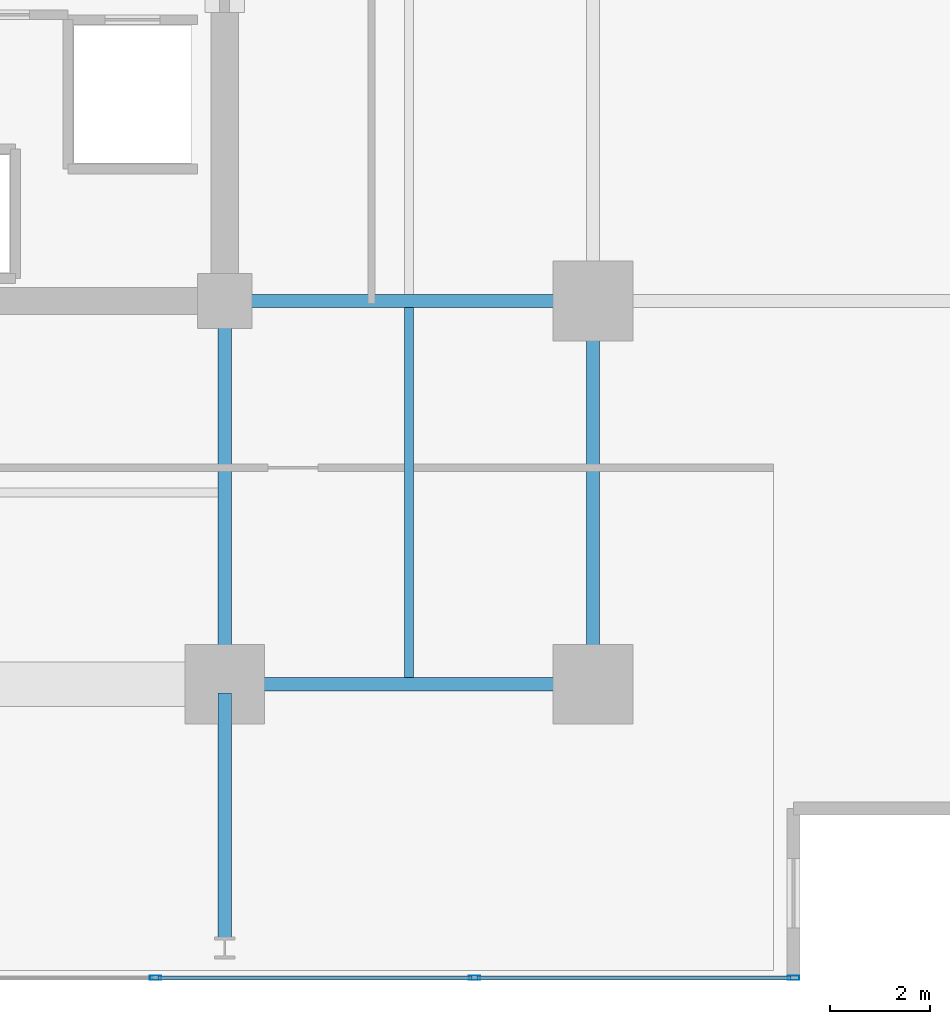
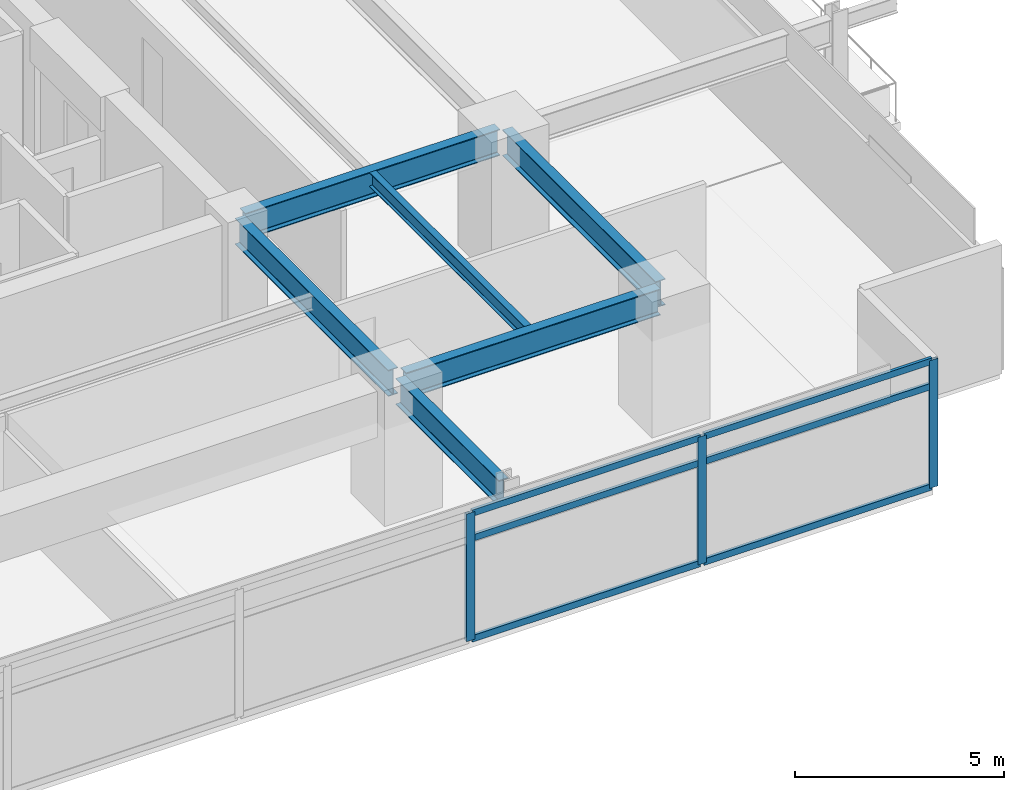
# One storey, part 8 of 20: 9 members, 6 beams, 1 element without a shape of its own.
"""IFC4 building model written with IfcOpenShell, lengths in metres."""

from ifc_helpers import new_model, si_unit, direction, frame, origin, origin_2d, place, context, subcontext, project, spatial, hollow_rectangle, i_section, extrude, material, material_profile, profile_set, type_object, element, aggregate, save


model = new_model("IFC4")

# Units and contexts
model_context = context("Model", 3, precision=1e-05, world=origin(), true_north=direction((0.0, 1.0)))
body_context = subcontext(model_context, "Body", "Model", "MODEL_VIEW")
ifc_project = project(units=[si_unit("LENGTHUNIT", "METRE"), si_unit("AREAUNIT", "SQUARE_METRE"), si_unit("VOLUMEUNIT", "CUBIC_METRE"), si_unit("PLANEANGLEUNIT", "RADIAN"), si_unit("MASSUNIT", "GRAM", prefix="KILO")], contexts=[model_context])

# Site, building, storey
site_placement = place(None, origin())
site = spatial("IfcSite", under=ifc_project, at=site_placement, CompositionType="ELEMENT")
building_placement = place(site_placement, origin())
building = spatial("IfcBuilding", under=site, at=building_placement, Name="Kovane Verandah Tower", CompositionType="ELEMENT")
storey_placement = place(building_placement, frame((0.0, 0.0, 128.39990234375)))
storey = spatial("IfcBuildingStorey", under=building, at=storey_placement, Name="L29", CompositionType="ELEMENT", Elevation=128.39990234375)

# Beams
ifc_material_1 = material(Name="Steel S355", Category="steel")
ifc_material_profile_1 = material_profile(ifc_material_1, i_section(OverallWidth=0.26806640625, OverallDepth=0.769775390625, WebThickness=0.015625, FlangeThickness=0.025390625, FilletRadius=0.0166015625, at=origin_2d()), Name="UB762x267x197")
ifc_profile_set_1 = profile_set([ifc_material_profile_1], Name="Steel S355")
beam_type_1 = type_object("IfcBeamType", Name="BM-UB762x197", PredefinedType="BEAM", material=ifc_profile_set_1)
beam_1_placement = place(storey_placement, frame((51.179931640625, 10.800048828125, 3.39013671875), z_axis=(1.0, 0.0, 0.0), x_axis=(0.0, 1.0, 0.0)))
element("IfcBeam", 1, at=beam_1_placement, inside=storey, type_object=beam_type_1, Name="L29 Primary Tower Girder G-RS3", PredefinedType="BEAM", context=body_context, shape_type="SweptSolid", body=[
    extrude(i_section(OverallWidth=0.26806640625, OverallDepth=0.769775390625, WebThickness=0.015625, FlangeThickness=0.025390625, FilletRadius=0.0166015625, at=origin_2d()), origin(), (0.0, 0.0, 1.0), 7.0400390625),
])
beam_2_placement = place(storey_placement, frame((58.39990234375, 10.97998046875, 3.39013671875), z_axis=(0.0, 1.0, 0.0), x_axis=(-1.0, 0.0, 0.0)))
element("IfcBeam", 2, at=beam_2_placement, inside=storey, type_object=beam_type_1, Name="L29 Primary Tower Girder G-RE1", PredefinedType="BEAM", context=body_context, shape_type="SweptSolid", body=[
    extrude(i_section(OverallWidth=0.26806640625, OverallDepth=0.769775390625, WebThickness=0.015625, FlangeThickness=0.025390625, FilletRadius=0.0166015625, at=origin_2d()), origin(), (0.0, 0.0, 1.0), 7.340087890625),
])
beam_3_placement = place(storey_placement, frame((51.179931640625, 18.5, 3.39013671875), z_axis=(1.0, 0.0, 0.0), x_axis=(0.0, 1.0, 0.0)))
element("IfcBeam", 3, at=beam_3_placement, inside=storey, type_object=beam_type_1, Name="L29 Primary Tower Girder G-E1", PredefinedType="BEAM", context=body_context, shape_type="SweptSolid", body=[
    extrude(i_section(OverallWidth=0.26806640625, OverallDepth=0.769775390625, WebThickness=0.015625, FlangeThickness=0.025390625, FilletRadius=0.0166015625, at=origin_2d()), origin(), (0.0, 0.0, 1.0), 7.0400390625),
])
beam_4_placement = place(storey_placement, frame((51.0, 18.320068359375, 3.39013671875), z_axis=(0.0, -1.0, 0.0), x_axis=(1.0, 0.0, 0.0)))
element("IfcBeam", 4, at=beam_4_placement, inside=storey, type_object=beam_type_1, Name="L29 Primary Tower Girder G-S2", PredefinedType="BEAM", context=body_context, shape_type="SweptSolid", body=[
    extrude(i_section(OverallWidth=0.26806640625, OverallDepth=0.769775390625, WebThickness=0.015625, FlangeThickness=0.025390625, FilletRadius=0.0166015625, at=origin_2d()), origin(), (0.0, 0.0, 1.0), 7.340087890625),
])
beam_5_placement = place(storey_placement, frame((51.0, 10.6201171875, 3.375244140625), z_axis=(0.0, -1.0, 0.0), x_axis=(1.0, 0.0, 0.0)))
element("IfcBeam", 5, at=beam_5_placement, inside=storey, type_object=beam_type_1, Name="L29 Primary Tower Girder G-VS2", PredefinedType="BEAM", context=body_context, shape_type="SweptSolid", body=[
    extrude(i_section(OverallWidth=0.26806640625, OverallDepth=0.769775390625, WebThickness=0.015625, FlangeThickness=0.025390625, FilletRadius=0.0166015625, at=origin_2d()), origin(), (0.0, 0.0, 1.0), 4.940185546875),
])

# Curtain wall, members
ifc_material_2 = material(Name="Champagne Anodised Aluminium Frame with Low-E Clear Laminated Glass", Category="aluminium")
curtain_wall_type = type_object("IfcCurtainWallType", Name="CW-SYS-03-MID", PredefinedType="NOTDEFINED", material=ifc_material_2)
curtain_wall_placement = place(storey_placement, origin())
curtain_wall = element("IfcCurtainWall", 6, at=curtain_wall_placement, inside=storey, type_object=curtain_wall_type, Name="L29 S Unitised Curtain Wall", PredefinedType="NOTDEFINED")
ifc_material_3 = material(Name="Champagne Anodised Aluminium 6063-T6", Category="aluminium")
ifc_material_profile_2 = material_profile(ifc_material_3, hollow_rectangle(XDim=0.0849609375, YDim=0.22998046875, WallThickness=0.00390625, at=origin_2d()), Name="AL85x230x4")
ifc_profile_set_2 = profile_set([ifc_material_profile_2], Name="Champagne Anodised Aluminium 6063-T6")
member_type_1 = type_object("IfcMemberType", Name="CW-MUL-85x230", PredefinedType="MULLION", material=ifc_profile_set_2)
member_1_placement = place(storey_placement, frame((49.6123046875, 4.89990234375, 0.02001953125), z_axis=(0.0, 0.0, 1.0), x_axis=(0.0, -1.0, 0.0)))
member_1 = element("IfcMember", 7, at=member_1_placement, type_object=member_type_1, Name="L29 S Unitised Curtain Wall Mullion 6", PredefinedType="MULLION", context=body_context, shape_type="SweptSolid", body=[
    extrude(hollow_rectangle(XDim=0.0849609375, YDim=0.22998046875, WallThickness=0.00390625, at=origin_2d()), origin(), (0.0, 0.0, 1.0), 3.735107421875),
])
member_2_placement = place(storey_placement, frame((56.0205078125, 4.89990234375, 0.02001953125), z_axis=(0.0, 0.0, 1.0), x_axis=(0.0, -1.0, 0.0)))
member_2 = element("IfcMember", 8, at=member_2_placement, type_object=member_type_1, Name="L29 S Unitised Curtain Wall Mullion 7", PredefinedType="MULLION", context=body_context, shape_type="SweptSolid", body=[
    extrude(hollow_rectangle(XDim=0.0849609375, YDim=0.22998046875, WallThickness=0.00390625, at=origin_2d()), origin(), (0.0, 0.0, 1.0), 3.735107421875),
])
member_3_placement = place(storey_placement, frame((62.4287109375, 4.89990234375, 0.02001953125), z_axis=(0.0, 0.0, 1.0), x_axis=(0.0, -1.0, 0.0)))
member_3 = element("IfcMember", 9, at=member_3_placement, type_object=member_type_1, Name="L29 S Unitised Curtain Wall Mullion 8", PredefinedType="MULLION", context=body_context, shape_type="SweptSolid", body=[
    extrude(hollow_rectangle(XDim=0.0849609375, YDim=0.22998046875, WallThickness=0.00390625, at=origin_2d()), origin(), (0.0, 0.0, 1.0), 3.735107421875),
])
ifc_material_profile_3 = material_profile(ifc_material_3, hollow_rectangle(XDim=0.0849609375, YDim=0.18994140625, WallThickness=0.00390625, at=origin_2d()), Name="AL85x190x4")
ifc_profile_set_3 = profile_set([ifc_material_profile_3], Name="Champagne Anodised Aluminium 6063-T6")
member_type_2 = type_object("IfcMemberType", Name="CW-TRN-85x190", PredefinedType="USERDEFINED", material=ifc_profile_set_3)
member_4_placement = place(storey_placement, frame((49.662353515625, 4.89990234375, 0.050048828125), z_axis=(1.0, 0.0, 0.0), x_axis=(0.0, 1.0, 0.0)))
member_4 = element("IfcMember", 10, at=member_4_placement, type_object=member_type_2, Name="L29 S Unitised Curtain Wall Transom TB Bay 6", ObjectType="TRANSOM", PredefinedType="USERDEFINED", context=body_context, shape_type="SweptSolid", body=[
    extrude(hollow_rectangle(XDim=0.0849609375, YDim=0.18994140625, WallThickness=0.00390625, at=origin_2d()), origin(), (0.0, 0.0, 1.0), 6.30810546875),
])
member_5_placement = place(storey_placement, frame((49.662353515625, 4.89990234375, 2.9951171875), z_axis=(1.0, 0.0, 0.0), x_axis=(0.0, 1.0, 0.0)))
member_5 = element("IfcMember", 11, at=member_5_placement, type_object=member_type_2, Name="L29 S Unitised Curtain Wall Transom TM Bay 6", ObjectType="TRANSOM", PredefinedType="USERDEFINED", context=body_context, shape_type="SweptSolid", body=[
    extrude(hollow_rectangle(XDim=0.0849609375, YDim=0.18994140625, WallThickness=0.00390625, at=origin_2d()), origin(), (0.0, 0.0, 1.0), 6.30810546875),
])
member_6_placement = place(storey_placement, frame((49.662353515625, 4.89990234375, 3.72509765625), z_axis=(1.0, 0.0, 0.0), x_axis=(0.0, 1.0, 0.0)))
member_6 = element("IfcMember", 12, at=member_6_placement, type_object=member_type_2, Name="L29 S Unitised Curtain Wall Transom TT Bay 6", ObjectType="TRANSOM", PredefinedType="USERDEFINED", context=body_context, shape_type="SweptSolid", body=[
    extrude(hollow_rectangle(XDim=0.0849609375, YDim=0.18994140625, WallThickness=0.00390625, at=origin_2d()), origin(), (0.0, 0.0, 1.0), 6.30810546875),
])
member_7_placement = place(storey_placement, frame((56.070556640625, 4.89990234375, 0.050048828125), z_axis=(1.0, 0.0, 0.0), x_axis=(0.0, 1.0, 0.0)))
member_7 = element("IfcMember", 13, at=member_7_placement, type_object=member_type_2, Name="L29 S Unitised Curtain Wall Transom TB Bay 7", ObjectType="TRANSOM", PredefinedType="USERDEFINED", context=body_context, shape_type="SweptSolid", body=[
    extrude(hollow_rectangle(XDim=0.0849609375, YDim=0.18994140625, WallThickness=0.00390625, at=origin_2d()), origin(), (0.0, 0.0, 1.0), 6.30810546875),
])
member_8_placement = place(storey_placement, frame((56.070556640625, 4.89990234375, 2.9951171875), z_axis=(1.0, 0.0, 0.0), x_axis=(0.0, 1.0, 0.0)))
member_8 = element("IfcMember", 14, at=member_8_placement, type_object=member_type_2, Name="L29 S Unitised Curtain Wall Transom TM Bay 7", ObjectType="TRANSOM", PredefinedType="USERDEFINED", context=body_context, shape_type="SweptSolid", body=[
    extrude(hollow_rectangle(XDim=0.0849609375, YDim=0.18994140625, WallThickness=0.00390625, at=origin_2d()), origin(), (0.0, 0.0, 1.0), 6.30810546875),
])
member_9_placement = place(storey_placement, frame((56.070556640625, 4.89990234375, 3.72509765625), z_axis=(1.0, 0.0, 0.0), x_axis=(0.0, 1.0, 0.0)))
member_9 = element("IfcMember", 15, at=member_9_placement, type_object=member_type_2, Name="L29 S Unitised Curtain Wall Transom TT Bay 7", ObjectType="TRANSOM", PredefinedType="USERDEFINED", context=body_context, shape_type="SweptSolid", body=[
    extrude(hollow_rectangle(XDim=0.0849609375, YDim=0.18994140625, WallThickness=0.00390625, at=origin_2d()), origin(), (0.0, 0.0, 1.0), 6.30810546875),
])
aggregate(curtain_wall, [member_1, member_2, member_3, member_4, member_5, member_6, member_7, member_8, member_9])

# Beam
ifc_material_profile_4 = material_profile(ifc_material_1, i_section(OverallWidth=0.179443359375, OverallDepth=0.412841796875, WebThickness=0.009521484375, FlangeThickness=0.01611328125, FilletRadius=0.01025390625, at=origin_2d()), Name="UB406x178x74")
ifc_profile_set_4 = profile_set([ifc_material_profile_4], Name="Steel S355")
beam_type_2 = type_object("IfcBeamType", Name="JST-UB406x74", PredefinedType="JOIST", material=ifc_profile_set_4)
beam_6_placement = place(storey_placement, frame((54.699951171875, 10.931884765625, 3.568603515625), z_axis=(0.0, 1.0, 0.0), x_axis=(-1.0, 0.0, 0.0)))
element("IfcBeam", 16, at=beam_6_placement, inside=storey, type_object=beam_type_2, Name="L29 Secondary Composite Joist J-SE1", PredefinedType="JOIST", context=body_context, shape_type="SweptSolid", body=[
    extrude(i_section(OverallWidth=0.179443359375, OverallDepth=0.412841796875, WebThickness=0.009521484375, FlangeThickness=0.01611328125, FilletRadius=0.01025390625, at=origin_2d()), origin(), (0.0, 0.0, 1.0), 7.43603515625),
])

save(model, "model.ifc")
